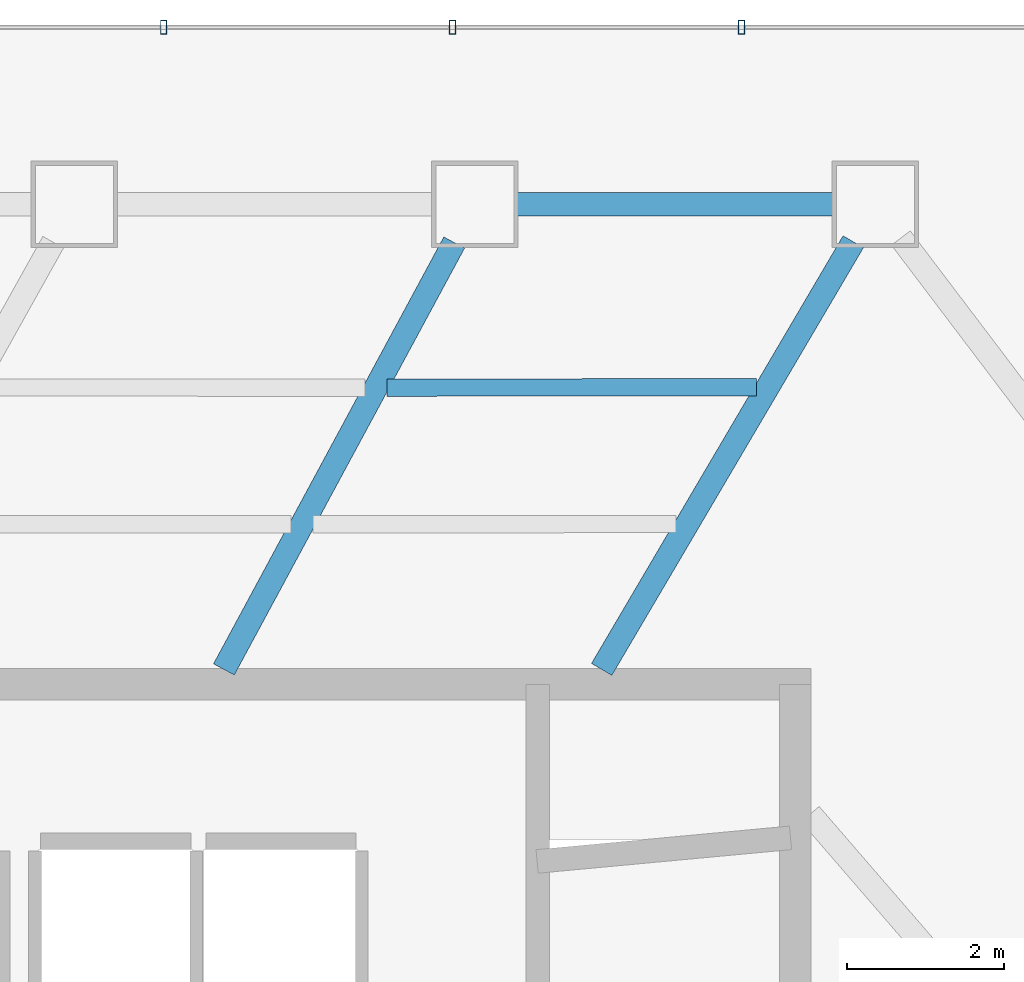
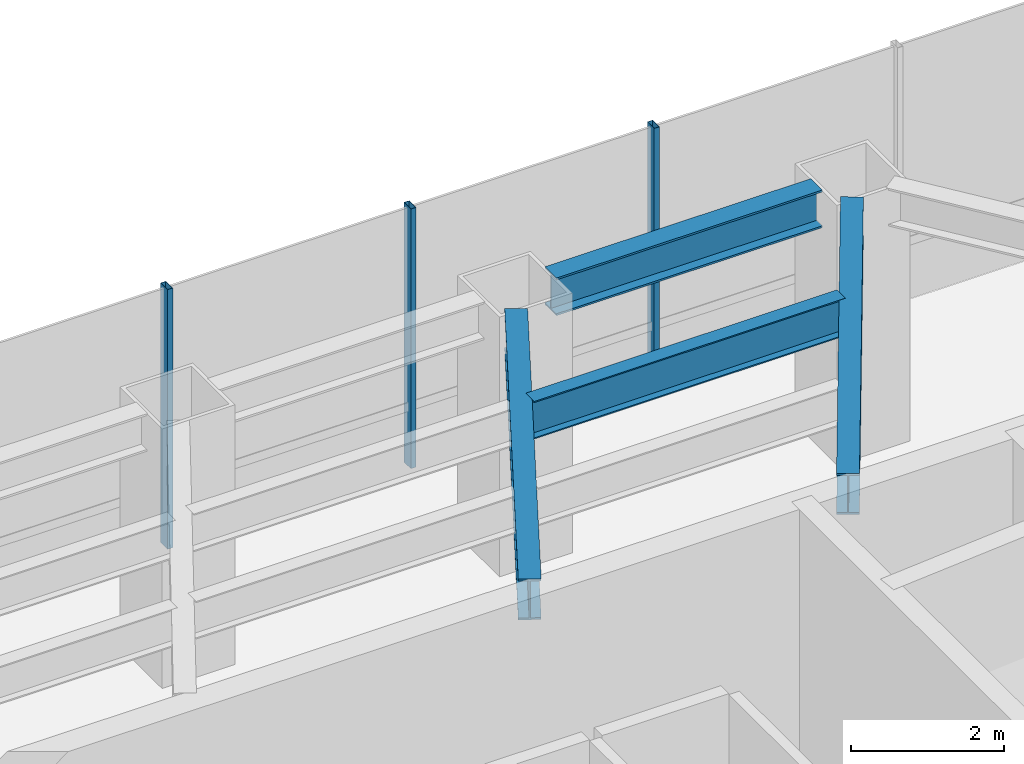
# One storey, part 23 of 37: 4 beams, 3 members, 1 element without a shape of its own.
"""IFC4 building model written with IfcOpenShell, lengths in metres."""

from ifc_helpers import new_model, si_unit, direction, frame, origin, origin_2d, place, context, subcontext, project, spatial, hollow_rectangle, i_section, extrude, material, layer, layer_set, material_profile, profile_set, type_object, element, aggregate, save


model = new_model("IFC4")

# Units and contexts
model_context = context("Model", 3, precision=1e-05, world=origin(), true_north=direction((0.0, 1.0)))
body_context = subcontext(model_context, "Body", "Model", "MODEL_VIEW")
ifc_project = project(units=[si_unit("LENGTHUNIT", "METRE"), si_unit("AREAUNIT", "SQUARE_METRE"), si_unit("VOLUMEUNIT", "CUBIC_METRE"), si_unit("PLANEANGLEUNIT", "RADIAN"), si_unit("MASSUNIT", "GRAM", prefix="KILO")], contexts=[model_context])

# Site, building, storey
site_placement = place(None, origin())
site = spatial("IfcSite", under=ifc_project, at=site_placement, CompositionType="ELEMENT")
building_placement = place(site_placement, origin())
building = spatial("IfcBuilding", under=site, at=building_placement, Name="Zarrinselat Tower", CompositionType="ELEMENT")
storey_placement = place(building_placement, frame((0.0, 0.0, 9.52001953125)))
storey = spatial("IfcBuildingStorey", under=building, at=storey_placement, Name="L02", CompositionType="ELEMENT", Elevation=9.52001953125)

# Beams
ifc_material_1 = material(Name="Steel S355J2", Category="steel")
ifc_material_profile_1 = material_profile(ifc_material_1, i_section(OverallWidth=0.300048828125, OverallDepth=0.60009765625, WebThickness=0.015380859375, FlangeThickness=0.030029296875, at=origin_2d()), Name="HEB 600")
ifc_profile_set_1 = profile_set([ifc_material_profile_1], Name="Steel S355J2")
beam_type_1 = type_object("IfcBeamType", Name="BM-HEB600", PredefinedType="BEAM", material=ifc_profile_set_1)
beam_1_placement = place(storey_placement, frame((44.7265625, 49.550048828125, 3.840087890625), z_axis=(1.0, 0.0, 0.0), x_axis=(0.0, 1.0, 0.0)))
element("IfcBeam", 1, at=beam_1_placement, inside=storey, type_object=beam_type_1, Name="L02 Perimeter Spandrel Girder SP01", PredefinedType="BEAM", context=body_context, shape_type="SweptSolid", body=[
    extrude(i_section(OverallWidth=0.300048828125, OverallDepth=0.60009765625, WebThickness=0.015380859375, FlangeThickness=0.030029296875, at=origin_2d()), origin(), (0.0, 0.0, 1.0), 4.012451171875),
])
ifc_material_2 = material(Name="Steel S355J2", Category="steel")
ifc_material_profile_2 = material_profile(ifc_material_2, i_section(OverallWidth=0.300048828125, OverallDepth=0.64990234375, WebThickness=0.01611328125, FlangeThickness=0.031005859375, at=origin_2d()), Name="HEB 650")
ifc_profile_set_2 = profile_set([ifc_material_profile_2], Name="Steel S355J2")
beam_type_2 = type_object("IfcBeamType", Name="BM-HEB650", PredefinedType="BEAM", material=ifc_profile_set_2)
beam_2_placement = place(storey_placement, frame((45.800048828125, 43.639892578125, 3.81494140625), z_axis=(0.5070624313, 0.861909328621, 0.0), x_axis=(-0.861909328621, 0.5070624313, 0.0)))
element("IfcBeam", 2, at=beam_2_placement, inside=storey, type_object=beam_type_2, Name="L02 Radial Primary Girder RG01", PredefinedType="BEAM", context=body_context, shape_type="SweptSolid", body=[
    extrude(i_section(OverallWidth=0.300048828125, OverallDepth=0.64990234375, WebThickness=0.01611328125, FlangeThickness=0.031005859375, at=origin_2d()), origin(), (0.0, 0.0, 1.0), 6.304931640625),
])
beam_3_placement = place(storey_placement, frame((41.0, 43.639892578125, 3.81494140625), z_axis=(0.474820116737, 0.880082869247, 0.0), x_axis=(-0.880082869247, 0.474820116737, 0.0)))
element("IfcBeam", 3, at=beam_3_placement, inside=storey, type_object=beam_type_2, Name="L02 Radial Primary Girder RG02", PredefinedType="BEAM", context=body_context, shape_type="SweptSolid", body=[
    extrude(i_section(OverallWidth=0.300048828125, OverallDepth=0.64990234375, WebThickness=0.01611328125, FlangeThickness=0.031005859375, at=origin_2d()), origin(), (0.0, 0.0, 1.0), 6.163330078125),
])
ifc_material_3 = material(Name="Steel S355J2", Category="steel")
ifc_material_profile_3 = material_profile(ifc_material_3, i_section(OverallWidth=0.219970703125, OverallDepth=0.60009765625, WebThickness=0.011962890625, FlangeThickness=0.01904296875, at=origin_2d()), Name="IPE 600")
ifc_profile_set_3 = profile_set([ifc_material_profile_3], Name="Steel S355J2")
beam_type_3 = type_object("IfcBeamType", Name="BM-IPE600", PredefinedType="JOIST", material=ifc_profile_set_3)
beam_4_placement = place(storey_placement, frame((43.0712890625, 47.22021484375, 3.840087890625), z_axis=(0.999999156338, 0.001298970119, 0.0), x_axis=(-0.001298970119, 0.999999156338, 0.0)))
element("IfcBeam", 4, at=beam_4_placement, inside=storey, type_object=beam_type_3, Name="L02 Composite Floor Joist 7-1", PredefinedType="JOIST", context=body_context, shape_type="SweptSolid", body=[
    extrude(i_section(OverallWidth=0.219970703125, OverallDepth=0.60009765625, WebThickness=0.011962890625, FlangeThickness=0.01904296875, at=origin_2d()), origin(), (0.0, 0.0, 1.0), 4.69873046875),
])

# Curtain wall, members
ifc_material_4 = material(Name="Extruded Aluminium Alloy EN AW-6063 T6", Category="aluminium")
ifc_layer = layer(ifc_material_4, 0.2099609375)
ifc_layer_set = layer_set([ifc_layer], Name="Extruded Aluminium Alloy EN AW-6063 T6")
curtain_wall_type = type_object("IfcCurtainWallType", Name="CWS-POD", PredefinedType="NOTDEFINED", material=ifc_layer_set)
curtain_wall_placement = place(storey_placement, origin())
curtain_wall = element("IfcCurtainWall", 5, at=curtain_wall_placement, inside=storey, type_object=curtain_wall_type, Name="L02 Unitised Curtain Wall CW-L02-F5", PredefinedType="NOTDEFINED")
ifc_material_5 = material(Name="Extruded Aluminium Alloy EN AW-6063 T6", Category="aluminium")
ifc_material_profile_4 = material_profile(ifc_material_5, hollow_rectangle(XDim=0.080078125, YDim=0.179931640625, WallThickness=0.0048828125, at=origin_2d()), Name="RHS 180x80x5")
ifc_profile_set_4 = profile_set([ifc_material_profile_4], Name="Extruded Aluminium Alloy EN AW-6063 T6")
member_type = type_object("IfcMemberType", Name="MEM-CW-MUL", PredefinedType="MULLION", material=ifc_profile_set_4)
member_1_placement = place(storey_placement, frame((47.576416015625, 51.800048828125, 0.0), z_axis=(0.0, 0.0, 1.0), x_axis=(-1.0, 0.0, 0.0)))
member_1 = element("IfcMember", 6, at=member_1_placement, type_object=member_type, Name="CW-L02-F5 Mullion 6", PredefinedType="MULLION", context=body_context, shape_type="SweptSolid", body=[
    extrude(hollow_rectangle(XDim=0.080078125, YDim=0.179931640625, WallThickness=0.0048828125, at=origin_2d()), origin(), (0.0, 0.0, 1.0), 4.139892578125),
])
member_2_placement = place(storey_placement, frame((43.906005859375, 51.800048828125, 0.0), z_axis=(0.0, 0.0, 1.0), x_axis=(-1.0, 0.0, 0.0)))
member_2 = element("IfcMember", 7, at=member_2_placement, type_object=member_type, Name="CW-L02-F5 Mullion 7", PredefinedType="MULLION", context=body_context, shape_type="SweptSolid", body=[
    extrude(hollow_rectangle(XDim=0.080078125, YDim=0.179931640625, WallThickness=0.0048828125, at=origin_2d()), origin(), (0.0, 0.0, 1.0), 4.139892578125),
])
member_3_placement = place(storey_placement, frame((40.2353515625, 51.800048828125, 0.0), z_axis=(0.0, 0.0, 1.0), x_axis=(-1.0, 0.0, 0.0)))
member_3 = element("IfcMember", 8, at=member_3_placement, type_object=member_type, Name="CW-L02-F5 Mullion 8", PredefinedType="MULLION", context=body_context, shape_type="SweptSolid", body=[
    extrude(hollow_rectangle(XDim=0.080078125, YDim=0.179931640625, WallThickness=0.0048828125, at=origin_2d()), origin(), (0.0, 0.0, 1.0), 4.139892578125),
])
aggregate(curtain_wall, [member_1, member_2, member_3])

save(model, "model.ifc")
